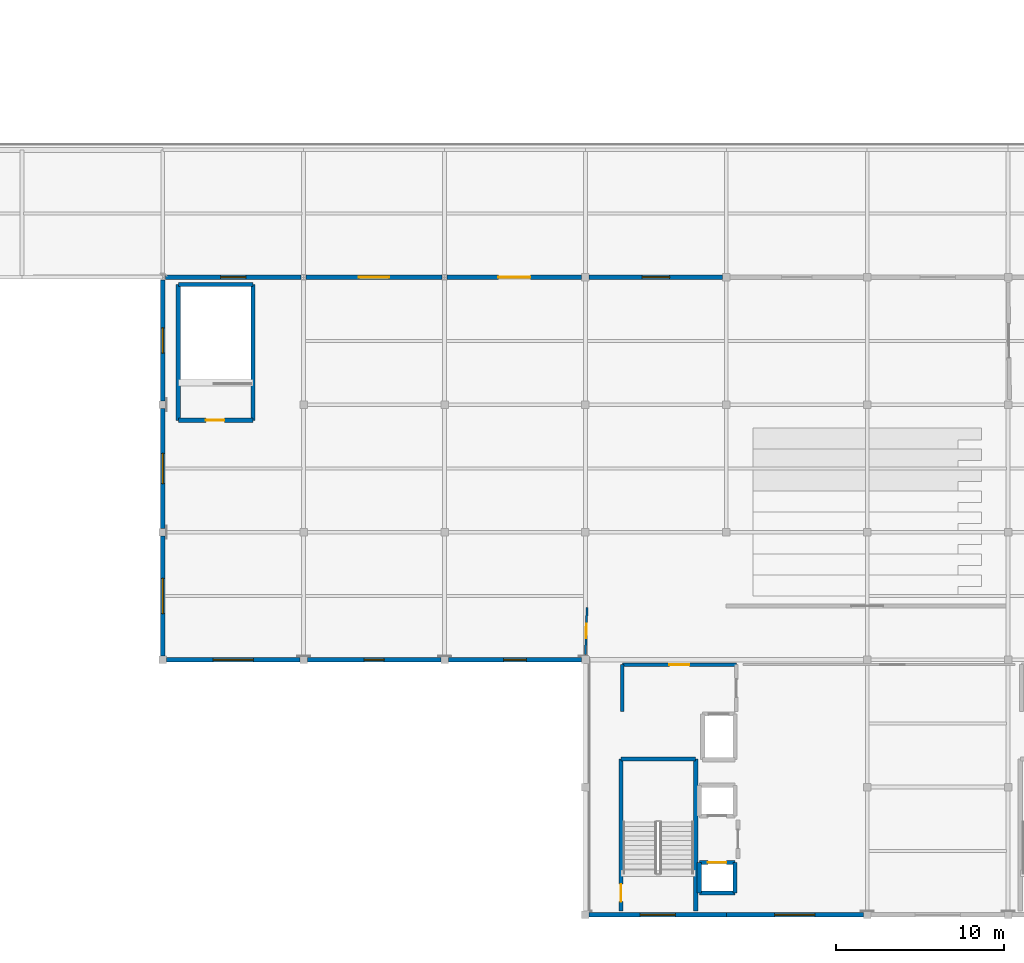
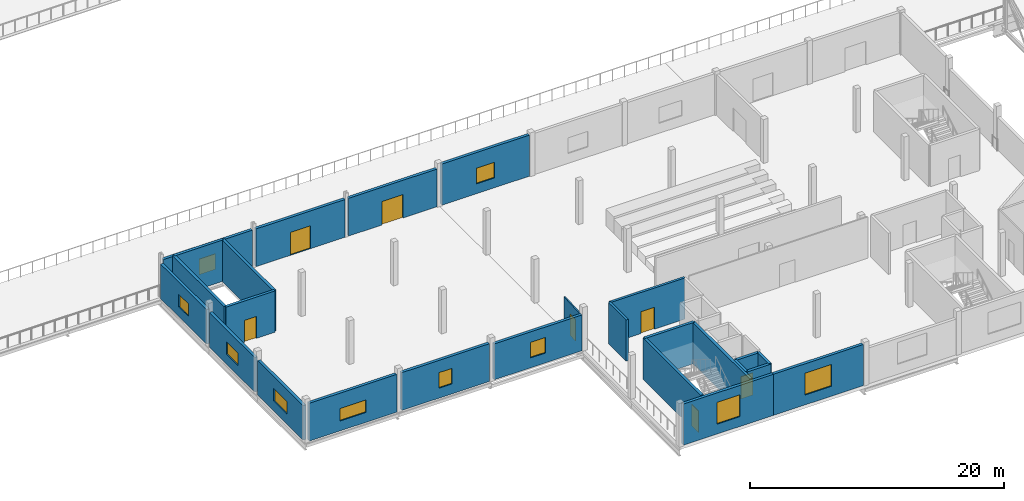
# One storey, part 50 of 57: 26 walls, 10 windows, 7 doors, 17 openings.
"""IFC4 building model written with IfcOpenShell, lengths in metres."""

from ifc_helpers import new_model, si_unit, direction, frame, frame_2d, origin, place, context, subcontext, project, spatial, rectangle, extrude, material, layer, layer_set, type_object, element, fill, save


model = new_model("IFC4")

# Units and contexts
model_context = context("Model", 3, precision=1e-05, world=origin(), true_north=direction((0.0, 1.0)))
body_context = subcontext(model_context, "Body", "Model", "MODEL_VIEW")
ifc_project = project(units=[si_unit("LENGTHUNIT", "METRE"), si_unit("AREAUNIT", "SQUARE_METRE"), si_unit("VOLUMEUNIT", "CUBIC_METRE"), si_unit("PLANEANGLEUNIT", "RADIAN"), si_unit("MASSUNIT", "GRAM", prefix="KILO")], contexts=[model_context])

# Site, building, storey
site_placement = place(None, origin())
site = spatial("IfcSite", under=ifc_project, at=site_placement, CompositionType="ELEMENT")
building_placement = place(site_placement, origin())
building = spatial("IfcBuilding", under=site, at=building_placement, Name="Zuvorla Pavilion Media Centre", CompositionType="ELEMENT")
storey_placement = place(building_placement, frame((0.0, 0.0, 18.0)))
storey = spatial("IfcBuildingStorey", under=building, at=storey_placement, Name="L04", CompositionType="ELEMENT", Elevation=18.0)

# Wall, opening, door
ifc_material_1 = material(Name="Acoustic masonry blockwork C32/40", Category="masonry")
ifc_layer_1 = layer(ifc_material_1, 0.219970703125)
ifc_layer_set_1 = layer_set([ifc_layer_1], Name="Acoustic masonry blockwork C32/40")
wall_type_1 = type_object("IfcWallType", Name="WL-CMP-220", PredefinedType="SOLIDWALL", material=ifc_layer_set_1)
wall_1_placement = place(storey_placement, frame((69.0, 20.89990234375, 0.0), z_axis=(0.0, 0.0, 1.0), x_axis=(1.0, 0.0, 0.0)))
wall_1 = element("IfcWall", 1, at=wall_1_placement, inside=storey, type_object=wall_type_1, Name="L04 solid wall IW22 43", PredefinedType="SOLIDWALL", context=body_context, shape_type="SweptSolid", body=[
    extrude(rectangle(XDim=6.800048828125, YDim=0.219970703125, at=frame_2d((3.39990234375, 0.0))), origin(), (0.0, 0.0, 1.0), 3.949951171875),
])
opening_1_placement = place(wall_1_placement, frame((2.800048828125, 0.0, 0.0)))
opening_1 = element("IfcOpeningElement", 2, at=opening_1_placement, cuts=wall_1, Name="Opening FD06", PredefinedType="OPENING", context=body_context, shape_type="SweptSolid", body=[
    extrude(rectangle(XDim=1.199951171875, YDim=2.10009765625, at=frame_2d((0.60009765625, 1.050048828125))), frame((0.0, 0.119873046875, 0.0), z_axis=(0.0, -1.0, 0.0), x_axis=(1.0, 0.0, 0.0)), (0.0, 0.0, 1.0), 0.239990234375),
])
ifc_material_2 = material(Name="Acoustic timber fire door leaf in steel frame", Category="steel")
door_type_1 = type_object("IfcDoorType", Name="DR-INT-FD06", OperationType="NOTDEFINED", PredefinedType="DOOR", material=ifc_material_2)
door_1_placement = place(opening_1_placement, origin())
door_1 = element("IfcDoor", 3, at=door_1_placement, inside=storey, type_object=door_type_1, Name="Firefighting lobby 1 door FD06 22", OperationType="SINGLE_SWING_LEFT", OverallHeight=2.10009765625, OverallWidth=1.199951171875, PredefinedType="DOOR", context=body_context, shape_type="SweptSolid", body=[
    extrude(rectangle(XDim=1.199951171875, YDim=2.10009765625, at=frame_2d((0.60009765625, 1.050048828125))), frame((0.0, 0.02490234375, 0.0), z_axis=(0.0, -1.0, 0.0), x_axis=(1.0, 0.0, 0.0)), (0.0, 0.0, 1.0), 0.050048828125),
])
fill(opening_1, door_1)

# Wall
wall_2_placement = place(storey_placement, frame((69.0, 18.10009765625, 0.0), z_axis=(0.0, 0.0, 1.0), x_axis=(0.0, 1.0, 0.0)))
element("IfcWall", 4, at=wall_2_placement, inside=storey, type_object=wall_type_1, Name="L04 solid wall IW22 44", PredefinedType="SOLIDWALL", context=body_context, shape_type="SweptSolid", body=[
    extrude(rectangle(XDim=2.7998046875, YDim=0.219970703125, at=frame_2d((1.39990234375, 0.0))), origin(), (0.0, 0.0, 1.0), 3.949951171875),
])

# Wall, opening, door
ifc_material_3 = material(Name="Concrete C40/50", Category="concrete")
ifc_layer_2 = layer(ifc_material_3, 0.25)
ifc_layer_set_2 = layer_set([ifc_layer_2], Name="Concrete C40/50")
wall_type_2 = type_object("IfcWallType", Name="WL-COR-250", PredefinedType="SHEAR", material=ifc_layer_set_2)
wall_3_placement = place(storey_placement, frame((68.925048828125, 6.22509765625, 0.0), z_axis=(0.0, 0.0, 1.0), x_axis=(0.0, 1.0, 0.0)))
wall_3 = element("IfcWall", 5, at=wall_3_placement, inside=storey, type_object=wall_type_2, Name="L04 shear wall CW25 40", PredefinedType="SHEAR", context=body_context, shape_type="SweptSolid", body=[
    extrude(rectangle(XDim=9.0498046875, YDim=0.25, at=frame_2d((4.52490234375, 0.0))), origin(), (0.0, 0.0, 1.0), 3.9599609375),
])
opening_2_placement = place(wall_3_placement, frame((0.550048828125, 0.0, 0.0)))
opening_2 = element("IfcOpeningElement", 6, at=opening_2_placement, cuts=wall_3, Name="Opening FD04", PredefinedType="OPENING", context=body_context, shape_type="SweptSolid", body=[
    extrude(rectangle(XDim=1.050048828125, YDim=2.10009765625, at=frame_2d((0.52490234375, 1.050048828125))), frame((0.0, 0.135009765625, 0.0), z_axis=(0.0, -1.0, 0.0), x_axis=(1.0, 0.0, 0.0)), (0.0, 0.0, 1.0), 0.27001953125),
])
door_type_2 = type_object("IfcDoorType", Name="DR-INT-FD04", OperationType="NOTDEFINED", PredefinedType="DOOR", material=ifc_material_2)
door_2_placement = place(opening_2_placement, origin())
door_2 = element("IfcDoor", 7, at=door_2_placement, inside=storey, type_object=door_type_2, Name="Stair ST-01 fire door FD04 21", OperationType="SINGLE_SWING_LEFT", OverallHeight=2.10009765625, OverallWidth=1.050048828125, PredefinedType="DOOR", context=body_context, shape_type="SweptSolid", body=[
    extrude(rectangle(XDim=1.050048828125, YDim=2.10009765625, at=frame_2d((0.52490234375, 1.050048828125))), frame((0.0, 0.02490234375, 0.0), z_axis=(0.0, -1.0, 0.0), x_axis=(1.0, 0.0, 0.0)), (0.0, 0.0, 1.0), 0.050048828125),
])
fill(opening_2, door_2)

# Walls
wall_4_placement = place(storey_placement, frame((73.375, 6.22509765625, 0.0), z_axis=(0.0, 0.0, 1.0), x_axis=(0.0, 1.0, 0.0)))
element("IfcWall", 8, at=wall_4_placement, inside=storey, type_object=wall_type_2, Name="L04 shear wall CW25 41", PredefinedType="SHEAR", context=body_context, shape_type="SweptSolid", body=[
    extrude(rectangle(XDim=9.0498046875, YDim=0.25, at=frame_2d((4.52490234375, 0.0))), origin(), (0.0, 0.0, 1.0), 3.9599609375),
])
wall_5_placement = place(storey_placement, frame((68.925048828125, 15.27490234375, 0.0), z_axis=(0.0, 0.0, 1.0), x_axis=(1.0, 0.0, 0.0)))
element("IfcWall", 9, at=wall_5_placement, inside=storey, type_object=wall_type_2, Name="L04 shear wall CW25 42", PredefinedType="SHEAR", context=body_context, shape_type="SweptSolid", body=[
    extrude(rectangle(XDim=4.449951171875, YDim=0.25, at=frame_2d((2.22509765625, 0.0))), origin(), (0.0, 0.0, 1.0), 3.9599609375),
])
wall_6_placement = place(storey_placement, frame((73.590087890625, 7.2900390625, 0.0), z_axis=(0.0, 0.0, 1.0), x_axis=(1.0, 0.0, 0.0)))
element("IfcWall", 10, at=wall_6_placement, inside=storey, type_object=wall_type_2, Name="L04 shear wall CW25 81", PredefinedType="SHEAR", context=body_context, shape_type="SweptSolid", body=[
    extrude(rectangle(XDim=2.119873046875, YDim=0.25, at=frame_2d((1.06005859375, 0.0))), origin(), (0.0, 0.0, 1.0), 3.9599609375),
])

# Wall, opening, door
wall_7_placement = place(storey_placement, frame((73.590087890625, 9.110107421875, 0.0), z_axis=(0.0, 0.0, 1.0), x_axis=(1.0, 0.0, 0.0)))
wall_7 = element("IfcWall", 11, at=wall_7_placement, inside=storey, type_object=wall_type_2, Name="L04 shear wall CW25 82", PredefinedType="SHEAR", context=body_context, shape_type="SweptSolid", body=[
    extrude(rectangle(XDim=2.119873046875, YDim=0.25, at=frame_2d((1.06005859375, 0.0))), origin(), (0.0, 0.0, 1.0), 3.9599609375),
])
opening_3_placement = place(wall_7_placement, frame((0.510009765625, 0.0, 0.0)))
opening_3 = element("IfcOpeningElement", 12, at=opening_3_placement, cuts=wall_7, Name="Opening LD01", PredefinedType="OPENING", context=body_context, shape_type="SweptSolid", body=[
    extrude(rectangle(XDim=1.10009765625, YDim=2.14990234375, at=frame_2d((0.550048828125, 1.074951171875))), frame((0.0, 0.135009765625, 0.0), z_axis=(0.0, -1.0, 0.0), x_axis=(1.0, 0.0, 0.0)), (0.0, 0.0, 1.0), 0.27001953125),
])
ifc_material_4 = material(Name="Brushed stainless steel sliding lift landing door", Category="steel")
door_type_3 = type_object("IfcDoorType", Name="DR-LFT-LD01", OperationType="SLIDING_TO_LEFT", PredefinedType="DOOR", material=ifc_material_4)
door_3_placement = place(opening_3_placement, origin())
door_3 = element("IfcDoor", 13, at=door_3_placement, inside=storey, type_object=door_type_3, Name="Lift LF-01 landing door LD01 38", OperationType="SLIDING_TO_LEFT", OverallHeight=2.14990234375, OverallWidth=1.10009765625, PredefinedType="DOOR", context=body_context, shape_type="SweptSolid", body=[
    extrude(rectangle(XDim=1.10009765625, YDim=2.14990234375, at=frame_2d((0.550048828125, 1.074951171875))), frame((0.0, 0.02490234375, 0.0), z_axis=(0.0, -1.0, 0.0), x_axis=(1.0, 0.0, 0.0)), (0.0, 0.0, 1.0), 0.050048828125),
])
fill(opening_3, door_3)

# Walls
for number, where, z_axis, x_axis, name in (
    (14, (73.590087890625, 7.2900390625, 0.0), (0.0, 0.0, 1.0), (0.0, 1.0, 0.0), "L04 shear wall CW25 83"),
    (15, (75.7099609375, 7.2900390625, 0.0), (0.0, 0.0, 1.0), (0.0, 1.0, 0.0), "L04 shear wall CW25 84"),
):
    element("IfcWall", number, at=place(storey_placement, frame(where, z_axis=z_axis, x_axis=x_axis)), inside=storey, type_object=wall_type_2, Name=name, PredefinedType="SHEAR", context=body_context, shape_type="SweptSolid", body=[
        extrude(rectangle(XDim=1.820068359375, YDim=0.25, at=frame_2d((0.91015625, 0.0))), origin(), (0.0, 0.0, 1.0), 3.9599609375),
    ])
for number, where, z_axis, x_axis, name in (
    (16, (42.52490234375, 35.47509765625, 0.0), (0.0, 0.0, 1.0), (0.0, 1.0, 0.0), "L04 shear wall CW25 257"),
    (17, (46.97509765625, 35.47509765625, 0.0), (0.0, 0.0, 1.0), (0.0, 1.0, 0.0), "L04 shear wall CW25 258"),
):
    element("IfcWall", number, at=place(storey_placement, frame(where, z_axis=z_axis, x_axis=x_axis)), inside=storey, type_object=wall_type_2, Name=name, PredefinedType="SHEAR", context=body_context, shape_type="SweptSolid", body=[
        extrude(rectangle(XDim=8.099853515625, YDim=0.25, at=frame_2d((4.0498046875, 0.0))), origin(), (0.0, 0.0, 1.0), 3.9599609375),
    ])
wall_8_placement = place(storey_placement, frame((42.52490234375, 43.574951171875, 0.0), z_axis=(0.0, 0.0, 1.0), x_axis=(1.0, 0.0, 0.0)))
element("IfcWall", 18, at=wall_8_placement, inside=storey, type_object=wall_type_2, Name="L04 shear wall CW25 259", PredefinedType="SHEAR", context=body_context, shape_type="SweptSolid", body=[
    extrude(rectangle(XDim=4.4501953125, YDim=0.25, at=frame_2d((2.22509765625, 0.0))), origin(), (0.0, 0.0, 1.0), 3.9599609375),
])

# Wall, opening, door
wall_9_placement = place(storey_placement, frame((42.52490234375, 35.47509765625, 0.0), z_axis=(0.0, 0.0, 1.0), x_axis=(1.0, 0.0, 0.0)))
wall_9 = element("IfcWall", 19, at=wall_9_placement, inside=storey, type_object=wall_type_2, Name="L04 shear wall CW25 260", PredefinedType="SHEAR", context=body_context, shape_type="SweptSolid", body=[
    extrude(rectangle(XDim=4.4501953125, YDim=0.25, at=frame_2d((2.22509765625, 0.0))), origin(), (0.0, 0.0, 1.0), 3.9599609375),
])
opening_4_placement = place(wall_9_placement, frame((1.64990234375, 0.0, 0.0)))
opening_4 = element("IfcOpeningElement", 20, at=opening_4_placement, cuts=wall_9, Name="Opening FD05", PredefinedType="OPENING", context=body_context, shape_type="SweptSolid", body=[
    extrude(rectangle(XDim=1.10009765625, YDim=2.10009765625, at=frame_2d((0.550048828125, 1.050048828125))), frame((0.0, 0.135009765625, 0.0), z_axis=(0.0, -1.0, 0.0), x_axis=(1.0, 0.0, 0.0)), (0.0, 0.0, 1.0), 0.27001953125),
])
door_type_4 = type_object("IfcDoorType", Name="DR-INT-FD05", OperationType="NOTDEFINED", PredefinedType="DOOR", material=ifc_material_2)
door_4_placement = place(opening_4_placement, frame((1.10009765625, 0.0, 0.0), z_axis=(0.0, 0.0, 1.0), x_axis=(-1.0, 0.0, 0.0)))
door_4 = element("IfcDoor", 21, at=door_4_placement, inside=storey, type_object=door_type_4, Name="Stair ST-03 fire door FD05 94", OperationType="SINGLE_SWING_RIGHT", OverallHeight=2.10009765625, OverallWidth=1.10009765625, PredefinedType="DOOR", context=body_context, shape_type="SweptSolid", body=[
    extrude(rectangle(XDim=1.10009765625, YDim=2.10009765625, at=frame_2d((0.550048828125, 1.050048828125))), frame((0.0, 0.02490234375, 0.0), z_axis=(0.0, -1.0, 0.0), x_axis=(1.0, 0.0, 0.0)), (0.0, 0.0, 1.0), 0.050048828125),
])
fill(opening_4, door_4)

# Wall, opening, window
ifc_material_5 = material(Name="White rendered concrete C32/40", Category="concrete")
ifc_layer_3 = layer(ifc_material_5, 0.260009765625)
ifc_layer_set_3 = layer_set([ifc_layer_3], Name="White rendered concrete C32/40")
wall_type_3 = type_object("IfcWallType", Name="WL-EXT-260", PredefinedType="SOLIDWALL", material=ifc_layer_set_3)
wall_10_placement = place(storey_placement, frame((67.02490234375, 6.0, 0.0), z_axis=(0.0, 0.0, 1.0), x_axis=(1.0, 0.0, 0.0)))
wall_10 = element("IfcWall", 22, at=wall_10_placement, inside=storey, type_object=wall_type_3, Name="L04 exterior solid wall EW04 275", PredefinedType="SOLIDWALL", context=body_context, shape_type="SweptSolid", body=[
    extrude(rectangle(XDim=8.175048828125, YDim=0.260009765625, at=frame_2d((4.08740234375, 0.0))), origin(), (0.0, 0.0, 1.0), 3.949951171875),
])
opening_5_placement = place(wall_10_placement, frame((3.03759765625, 0.0, 0.949951171875)))
opening_5 = element("IfcOpeningElement", 23, at=opening_5_placement, cuts=wall_10, Name="Opening WN20", PredefinedType="OPENING", context=body_context, shape_type="SweptSolid", body=[
    extrude(rectangle(XDim=2.10009765625, YDim=2.10009765625, at=frame_2d((1.050048828125, 1.050048828125))), frame((0.0, 0.139892578125, 0.0), z_axis=(0.0, -1.0, 0.0), x_axis=(1.0, 0.0, 0.0)), (0.0, 0.0, 1.0), 0.280029296875),
])
ifc_material_6 = material(Name="Anodised aluminium frame with solar double glazing", Category="aluminium")
window_type_1 = type_object("IfcWindowType", Name="WIN-WN20", PartitioningType="DOUBLE_PANEL_VERTICAL", PredefinedType="WINDOW", material=ifc_material_6)
window_1_placement = place(opening_5_placement, origin())
window_1 = element("IfcWindow", 24, at=window_1_placement, inside=storey, type_object=window_type_1, Name="L04 window WN20 104", OverallHeight=2.10009765625, OverallWidth=2.10009765625, PartitioningType="DOUBLE_PANEL_VERTICAL", PredefinedType="WINDOW", context=body_context, shape_type="SweptSolid", body=[
    extrude(rectangle(XDim=2.10009765625, YDim=2.10009765625, at=frame_2d((1.050048828125, 1.050048828125))), frame((0.0, 0.030029296875, 0.0), z_axis=(0.0, -1.0, 0.0), x_axis=(1.0, 0.0, 0.0)), (0.0, 0.0, 1.0), 0.06005859375),
])
fill(opening_5, window_1)

wall_11_placement = place(storey_placement, frame((75.199951171875, 6.0, 0.0), z_axis=(0.0, 0.0, 1.0), x_axis=(1.0, 0.0, 0.0)))
wall_11 = element("IfcWall", 25, at=wall_11_placement, inside=storey, type_object=wall_type_3, Name="L04 exterior solid wall EW04 276", PredefinedType="SOLIDWALL", context=body_context, shape_type="SweptSolid", body=[
    extrude(rectangle(XDim=8.175048828125, YDim=0.260009765625, at=frame_2d((4.08740234375, 0.0))), origin(), (0.0, 0.0, 1.0), 3.949951171875),
])
opening_6_placement = place(wall_11_placement, frame((2.887451171875, 0.0, 0.949951171875)))
opening_6 = element("IfcOpeningElement", 26, at=opening_6_placement, cuts=wall_11, Name="Opening WN21", PredefinedType="OPENING", context=body_context, shape_type="SweptSolid", body=[
    extrude(rectangle(XDim=2.39990234375, YDim=2.10009765625, at=frame_2d((1.199951171875, 1.050048828125))), frame((0.0, 0.139892578125, 0.0), z_axis=(0.0, -1.0, 0.0), x_axis=(1.0, 0.0, 0.0)), (0.0, 0.0, 1.0), 0.280029296875),
])
window_type_2 = type_object("IfcWindowType", Name="WIN-WN21", PartitioningType="DOUBLE_PANEL_VERTICAL", PredefinedType="WINDOW", material=ifc_material_6)
window_2_placement = place(opening_6_placement, origin())
window_2 = element("IfcWindow", 27, at=window_2_placement, inside=storey, type_object=window_type_2, Name="L04 window WN21 105", OverallHeight=2.10009765625, OverallWidth=2.39990234375, PartitioningType="DOUBLE_PANEL_VERTICAL", PredefinedType="WINDOW", context=body_context, shape_type="SweptSolid", body=[
    extrude(rectangle(XDim=2.39990234375, YDim=2.10009765625, at=frame_2d((1.199951171875, 1.050048828125))), frame((0.0, 0.030029296875, 0.0), z_axis=(0.0, -1.0, 0.0), x_axis=(1.0, 0.0, 0.0)), (0.0, 0.0, 1.0), 0.06005859375),
])
fill(opening_6, window_2)

wall_12_placement = place(storey_placement, frame((41.60009765625, 43.83984375, 0.0), z_axis=(0.0, 0.0, 1.0), x_axis=(0.0, -1.0, 0.0)))
wall_12 = element("IfcWall", 28, at=wall_12_placement, inside=storey, type_object=wall_type_3, Name="L04 exterior solid wall EW04 285", PredefinedType="SOLIDWALL", context=body_context, shape_type="SweptSolid", body=[
    extrude(rectangle(XDim=7.21484375, YDim=0.260009765625, at=frame_2d((3.607421875, 0.0))), origin(), (0.0, 0.0, 1.0), 3.314697265625),
])
opening_7_placement = place(wall_12_placement, frame((2.857421875, 0.0, 0.949951171875)))
opening_7 = element("IfcOpeningElement", 29, at=opening_7_placement, cuts=wall_12, Name="Opening WN25", PredefinedType="OPENING", context=body_context, shape_type="SweptSolid", body=[
    extrude(rectangle(XDim=1.5, YDim=1.199951171875, at=frame_2d((0.75, 0.60009765625))), frame((0.0, 0.139892578125, 0.0), z_axis=(0.0, -1.0, 0.0), x_axis=(1.0, 0.0, 0.0)), (0.0, 0.0, 1.0), 0.280029296875),
])
window_type_3 = type_object("IfcWindowType", Name="WIN-WN25", PartitioningType="SINGLE_PANEL", PredefinedType="WINDOW", material=ifc_material_6)
window_3_placement = place(opening_7_placement, origin())
window_3 = element("IfcWindow", 30, at=window_3_placement, inside=storey, type_object=window_type_3, Name="L04 window WN25 109", OverallHeight=1.199951171875, OverallWidth=1.5, PartitioningType="SINGLE_PANEL", PredefinedType="WINDOW", context=body_context, shape_type="SweptSolid", body=[
    extrude(rectangle(XDim=1.5, YDim=1.199951171875, at=frame_2d((0.75, 0.60009765625))), frame((0.0, 0.030029296875, 0.0), z_axis=(0.0, -1.0, 0.0), x_axis=(1.0, 0.0, 0.0)), (0.0, 0.0, 1.0), 0.06005859375),
])
fill(opening_7, window_3)

wall_13_placement = place(storey_placement, frame((41.60009765625, 36.175048828125, 0.0), z_axis=(0.0, 0.0, 1.0), x_axis=(0.0, -1.0, 0.0)))
wall_13 = element("IfcWall", 31, at=wall_13_placement, inside=storey, type_object=wall_type_3, Name="L04 exterior solid wall EW04 286", PredefinedType="SOLIDWALL", context=body_context, shape_type="SweptSolid", body=[
    extrude(rectangle(XDim=7.150146484375, YDim=0.260009765625, at=frame_2d((3.5751953125, 0.0))), origin(), (0.0, 0.0, 1.0), 3.314697265625),
])
opening_8_placement = place(wall_13_placement, frame((2.675048828125, 0.0, 0.949951171875)))
opening_8 = element("IfcOpeningElement", 32, at=opening_8_placement, cuts=wall_13, Name="Opening WN26", PredefinedType="OPENING", context=body_context, shape_type="SweptSolid", body=[
    extrude(rectangle(XDim=1.800048828125, YDim=1.199951171875, at=frame_2d((0.89990234375, 0.60009765625))), frame((0.0, 0.139892578125, 0.0), z_axis=(0.0, -1.0, 0.0), x_axis=(1.0, 0.0, 0.0)), (0.0, 0.0, 1.0), 0.280029296875),
])
window_type_4 = type_object("IfcWindowType", Name="WIN-WN26", PartitioningType="DOUBLE_PANEL_VERTICAL", PredefinedType="WINDOW", material=ifc_material_6)
window_4_placement = place(opening_8_placement, origin())
window_4 = element("IfcWindow", 33, at=window_4_placement, inside=storey, type_object=window_type_4, Name="L04 window WN26 110", OverallHeight=1.199951171875, OverallWidth=1.800048828125, PartitioningType="DOUBLE_PANEL_VERTICAL", PredefinedType="WINDOW", context=body_context, shape_type="SweptSolid", body=[
    extrude(rectangle(XDim=1.800048828125, YDim=1.199951171875, at=frame_2d((0.89990234375, 0.60009765625))), frame((0.0, 0.030029296875, 0.0), z_axis=(0.0, -1.0, 0.0), x_axis=(1.0, 0.0, 0.0)), (0.0, 0.0, 1.0), 0.06005859375),
])
fill(opening_8, window_4)

wall_14_placement = place(storey_placement, frame((41.60009765625, 28.574951171875, 0.0), z_axis=(0.0, 0.0, 1.0), x_axis=(0.0, -1.0, 0.0)))
wall_14 = element("IfcWall", 34, at=wall_14_placement, inside=storey, type_object=wall_type_3, Name="L04 exterior solid wall EW04 287", PredefinedType="SOLIDWALL", context=body_context, shape_type="SweptSolid", body=[
    extrude(rectangle(XDim=7.14990234375, YDim=0.260009765625, at=frame_2d((3.574951171875, 0.0))), origin(), (0.0, 0.0, 1.0), 3.314697265625),
])
opening_9_placement = place(wall_14_placement, frame((2.52490234375, 0.0, 0.949951171875)))
opening_9 = element("IfcOpeningElement", 35, at=opening_9_placement, cuts=wall_14, Name="Opening WN27", PredefinedType="OPENING", context=body_context, shape_type="SweptSolid", body=[
    extrude(rectangle(XDim=2.10009765625, YDim=1.199951171875, at=frame_2d((1.050048828125, 0.60009765625))), frame((0.0, 0.139892578125, 0.0), z_axis=(0.0, -1.0, 0.0), x_axis=(1.0, 0.0, 0.0)), (0.0, 0.0, 1.0), 0.280029296875),
])
window_type_5 = type_object("IfcWindowType", Name="WIN-WN27", PartitioningType="DOUBLE_PANEL_VERTICAL", PredefinedType="WINDOW", material=ifc_material_6)
window_5_placement = place(opening_9_placement, origin())
window_5 = element("IfcWindow", 36, at=window_5_placement, inside=storey, type_object=window_type_5, Name="L04 window WN27 111", OverallHeight=1.199951171875, OverallWidth=2.10009765625, PartitioningType="DOUBLE_PANEL_VERTICAL", PredefinedType="WINDOW", context=body_context, shape_type="SweptSolid", body=[
    extrude(rectangle(XDim=2.10009765625, YDim=1.199951171875, at=frame_2d((1.050048828125, 0.60009765625))), frame((0.0, 0.030029296875, 0.0), z_axis=(0.0, -1.0, 0.0), x_axis=(1.0, 0.0, 0.0)), (0.0, 0.0, 1.0), 0.06005859375),
])
fill(opening_9, window_5)

wall_15_placement = place(storey_placement, frame((41.824951171875, 21.199951171875, 0.0), z_axis=(0.0, 0.0, 1.0), x_axis=(1.0, 0.0, 0.0)))
wall_15 = element("IfcWall", 37, at=wall_15_placement, inside=storey, type_object=wall_type_3, Name="L04 exterior solid wall EW04 288", PredefinedType="SOLIDWALL", context=body_context, shape_type="SweptSolid", body=[
    extrude(rectangle(XDim=7.949951171875, YDim=0.260009765625, at=frame_2d((3.97509765625, 0.0))), origin(), (0.0, 0.0, 1.0), 3.626953125),
])
opening_10_placement = place(wall_15_placement, frame((2.77490234375, 0.0, 0.949951171875)))
opening_10 = element("IfcOpeningElement", 38, at=opening_10_placement, cuts=wall_15, Name="Opening WN28", PredefinedType="OPENING", context=body_context, shape_type="SweptSolid", body=[
    extrude(rectangle(XDim=2.39990234375, YDim=1.199951171875, at=frame_2d((1.199951171875, 0.60009765625))), frame((0.0, 0.139892578125, 0.0), z_axis=(0.0, -1.0, 0.0), x_axis=(1.0, 0.0, 0.0)), (0.0, 0.0, 1.0), 0.280029296875),
])
window_type_6 = type_object("IfcWindowType", Name="WIN-WN28", PartitioningType="DOUBLE_PANEL_VERTICAL", PredefinedType="WINDOW", material=ifc_material_6)
window_6_placement = place(opening_10_placement, origin())
window_6 = element("IfcWindow", 39, at=window_6_placement, inside=storey, type_object=window_type_6, Name="L04 window WN28 112", OverallHeight=1.199951171875, OverallWidth=2.39990234375, PartitioningType="DOUBLE_PANEL_VERTICAL", PredefinedType="WINDOW", context=body_context, shape_type="SweptSolid", body=[
    extrude(rectangle(XDim=2.39990234375, YDim=1.199951171875, at=frame_2d((1.199951171875, 0.60009765625))), frame((0.0, 0.030029296875, 0.0), z_axis=(0.0, -1.0, 0.0), x_axis=(1.0, 0.0, 0.0)), (0.0, 0.0, 1.0), 0.06005859375),
])
fill(opening_10, window_6)

wall_16_placement = place(storey_placement, frame((50.22509765625, 21.199951171875, 0.0), z_axis=(0.0, 0.0, 1.0), x_axis=(1.0, 0.0, 0.0)))
wall_16 = element("IfcWall", 40, at=wall_16_placement, inside=storey, type_object=wall_type_3, Name="L04 exterior solid wall EW04 289", PredefinedType="SOLIDWALL", context=body_context, shape_type="SweptSolid", body=[
    extrude(rectangle(XDim=7.949951171875, YDim=0.260009765625, at=frame_2d((3.97509765625, 0.0))), origin(), (0.0, 0.0, 1.0), 3.626953125),
])
opening_11_placement = place(wall_16_placement, frame((3.375, 0.0, 0.949951171875)))
opening_11 = element("IfcOpeningElement", 41, at=opening_11_placement, cuts=wall_16, Name="Opening WN01", PredefinedType="OPENING", context=body_context, shape_type="SweptSolid", body=[
    extrude(rectangle(XDim=1.199951171875, YDim=1.5, at=frame_2d((0.60009765625, 0.75))), frame((0.0, 0.139892578125, 0.0), z_axis=(0.0, -1.0, 0.0), x_axis=(1.0, 0.0, 0.0)), (0.0, 0.0, 1.0), 0.280029296875),
])
window_type_7 = type_object("IfcWindowType", Name="WIN-WN01", PartitioningType="SINGLE_PANEL", PredefinedType="WINDOW", material=ifc_material_6)
window_7_placement = place(opening_11_placement, origin())
window_7 = element("IfcWindow", 42, at=window_7_placement, inside=storey, type_object=window_type_7, Name="L04 window WN01 113", OverallHeight=1.5, OverallWidth=1.199951171875, PartitioningType="SINGLE_PANEL", PredefinedType="WINDOW", context=body_context, shape_type="SweptSolid", body=[
    extrude(rectangle(XDim=1.199951171875, YDim=1.5, at=frame_2d((0.60009765625, 0.75))), frame((0.0, 0.030029296875, 0.0), z_axis=(0.0, -1.0, 0.0), x_axis=(1.0, 0.0, 0.0)), (0.0, 0.0, 1.0), 0.06005859375),
])
fill(opening_11, window_7)

wall_17_placement = place(storey_placement, frame((58.625, 21.199951171875, 0.0), z_axis=(0.0, 0.0, 1.0), x_axis=(1.0, 0.0, 0.0)))
wall_17 = element("IfcWall", 43, at=wall_17_placement, inside=storey, type_object=wall_type_3, Name="L04 exterior solid wall EW04 290", PredefinedType="SOLIDWALL", context=body_context, shape_type="SweptSolid", body=[
    extrude(rectangle(XDim=7.949951171875, YDim=0.260009765625, at=frame_2d((3.97509765625, 0.0))), origin(), (0.0, 0.0, 1.0), 3.447021484375),
])
opening_12_placement = place(wall_17_placement, frame((3.300048828125, 0.0, 0.949951171875)))
opening_12 = element("IfcOpeningElement", 44, at=opening_12_placement, cuts=wall_17, Name="Opening WN02", PredefinedType="OPENING", context=body_context, shape_type="SweptSolid", body=[
    extrude(rectangle(XDim=1.35009765625, YDim=1.5, at=frame_2d((0.675048828125, 0.75))), frame((0.0, 0.139892578125, 0.0), z_axis=(0.0, -1.0, 0.0), x_axis=(1.0, 0.0, 0.0)), (0.0, 0.0, 1.0), 0.280029296875),
])
window_type_8 = type_object("IfcWindowType", Name="WIN-WN02", PartitioningType="SINGLE_PANEL", PredefinedType="WINDOW", material=ifc_material_6)
window_8_placement = place(opening_12_placement, origin())
window_8 = element("IfcWindow", 45, at=window_8_placement, inside=storey, type_object=window_type_8, Name="L04 window WN02 114", OverallHeight=1.5, OverallWidth=1.35009765625, PartitioningType="SINGLE_PANEL", PredefinedType="WINDOW", context=body_context, shape_type="SweptSolid", body=[
    extrude(rectangle(XDim=1.35009765625, YDim=1.5, at=frame_2d((0.675048828125, 0.75))), frame((0.0, 0.030029296875, 0.0), z_axis=(0.0, -1.0, 0.0), x_axis=(1.0, 0.0, 0.0)), (0.0, 0.0, 1.0), 0.06005859375),
])
fill(opening_12, window_8)

wall_18_placement = place(storey_placement, frame((41.754638671875, 44.0, 0.0), z_axis=(0.0, 0.0, 1.0), x_axis=(1.0, 0.0, 0.0)))
wall_18 = element("IfcWall", 46, at=wall_18_placement, inside=storey, type_object=wall_type_3, Name="L04 exterior solid wall EW04 291", PredefinedType="SOLIDWALL", context=body_context, shape_type="SweptSolid", body=[
    extrude(rectangle(XDim=8.0908203125, YDim=0.260009765625, at=frame_2d((4.04541015625, 0.0))), origin(), (0.0, 0.0, 1.0), 3.626953125),
])
opening_13_placement = place(wall_18_placement, frame((3.29541015625, 0.0, 0.949951171875)))
opening_13 = element("IfcOpeningElement", 47, at=opening_13_placement, cuts=wall_18, Name="Opening WN03", PredefinedType="OPENING", context=body_context, shape_type="SweptSolid", body=[
    extrude(rectangle(XDim=1.5, YDim=1.5, at=frame_2d((0.75, 0.75))), frame((0.0, 0.139892578125, 0.0), z_axis=(0.0, -1.0, 0.0), x_axis=(1.0, 0.0, 0.0)), (0.0, 0.0, 1.0), 0.280029296875),
])
window_type_9 = type_object("IfcWindowType", Name="WIN-WN03", PartitioningType="SINGLE_PANEL", PredefinedType="WINDOW", material=ifc_material_6)
window_9_placement = place(opening_13_placement, origin())
window_9 = element("IfcWindow", 48, at=window_9_placement, inside=storey, type_object=window_type_9, Name="L04 window WN03 115", OverallHeight=1.5, OverallWidth=1.5, PartitioningType="SINGLE_PANEL", PredefinedType="WINDOW", context=body_context, shape_type="SweptSolid", body=[
    extrude(rectangle(XDim=1.5, YDim=1.5, at=frame_2d((0.75, 0.75))), frame((0.0, 0.030029296875, 0.0), z_axis=(0.0, -1.0, 0.0), x_axis=(1.0, 0.0, 0.0)), (0.0, 0.0, 1.0), 0.06005859375),
])
fill(opening_13, window_9)

# Wall, opening, door
wall_19_placement = place(storey_placement, frame((50.154541015625, 44.0, 0.0), z_axis=(0.0, 0.0, 1.0), x_axis=(1.0, 0.0, 0.0)))
wall_19 = element("IfcWall", 49, at=wall_19_placement, inside=storey, type_object=wall_type_3, Name="L04 exterior solid wall EW04 292", PredefinedType="SOLIDWALL", context=body_context, shape_type="SweptSolid", body=[
    extrude(rectangle(XDim=8.0908203125, YDim=0.260009765625, at=frame_2d((4.04541015625, 0.0))), origin(), (0.0, 0.0, 1.0), 3.626953125),
])
opening_14_placement = place(wall_19_placement, frame((3.1455078125, 0.0, 0.0)))
opening_14 = element("IfcOpeningElement", 50, at=opening_14_placement, cuts=wall_19, Name="Opening ED04", PredefinedType="OPENING", context=body_context, shape_type="SweptSolid", body=[
    extrude(rectangle(XDim=1.800048828125, YDim=2.199951171875, at=frame_2d((0.89990234375, 1.10009765625))), frame((0.0, 0.139892578125, 0.0), z_axis=(0.0, -1.0, 0.0), x_axis=(1.0, 0.0, 0.0)), (0.0, 0.0, 1.0), 0.280029296875),
])
ifc_material_7 = material(Name="Anodised aluminium terrace double door", Category="aluminium")
door_type_5 = type_object("IfcDoorType", Name="DR-EXT-180x220", OperationType="NOTDEFINED", PredefinedType="DOOR", material=ifc_material_7)
door_5_placement = place(opening_14_placement, origin())
door_5 = element("IfcDoor", 51, at=door_5_placement, inside=storey, type_object=door_type_5, Name="Terrace Entrance Door DR-EXT-L04-021", OperationType="DOUBLE_DOOR_SINGLE_SWING", OverallHeight=2.199951171875, OverallWidth=1.800048828125, PredefinedType="DOOR", context=body_context, shape_type="SweptSolid", body=[
    extrude(rectangle(XDim=1.800048828125, YDim=2.199951171875, at=frame_2d((0.89990234375, 1.10009765625))), frame((0.0, 0.02490234375, 0.0), z_axis=(0.0, -1.0, 0.0), x_axis=(1.0, 0.0, 0.0)), (0.0, 0.0, 1.0), 0.050048828125),
])
fill(opening_14, door_5)

wall_20_placement = place(storey_placement, frame((58.5546875, 44.0, 0.0), z_axis=(0.0, 0.0, 1.0), x_axis=(1.0, 0.0, 0.0)))
wall_20 = element("IfcWall", 52, at=wall_20_placement, inside=storey, type_object=wall_type_3, Name="L04 exterior solid wall EW04 293", PredefinedType="SOLIDWALL", context=body_context, shape_type="SweptSolid", body=[
    extrude(rectangle(XDim=8.020263671875, YDim=0.260009765625, at=frame_2d((4.01025390625, 0.0))), origin(), (0.0, 0.0, 1.0), 3.626953125),
])
opening_15_placement = place(wall_20_placement, frame((3.060302734375, 0.0, 0.0)))
opening_15 = element("IfcOpeningElement", 53, at=opening_15_placement, cuts=wall_20, Name="Opening ED05", PredefinedType="OPENING", context=body_context, shape_type="SweptSolid", body=[
    extrude(rectangle(XDim=1.89990234375, YDim=2.25, at=frame_2d((0.949951171875, 1.125))), frame((0.0, 0.139892578125, 0.0), z_axis=(0.0, -1.0, 0.0), x_axis=(1.0, 0.0, 0.0)), (0.0, 0.0, 1.0), 0.280029296875),
])
ifc_material_8 = material(Name="Anodised aluminium lounge terrace door", Category="aluminium")
door_type_6 = type_object("IfcDoorType", Name="DR-EXT-190x225", OperationType="NOTDEFINED", PredefinedType="DOOR", material=ifc_material_8)
door_6_placement = place(opening_15_placement, origin())
door_6 = element("IfcDoor", 54, at=door_6_placement, inside=storey, type_object=door_type_6, Name="Terrace Entrance Door DR-EXT-L04-022", OperationType="DOUBLE_DOOR_SINGLE_SWING", OverallHeight=2.25, OverallWidth=1.89990234375, PredefinedType="DOOR", context=body_context, shape_type="SweptSolid", body=[
    extrude(rectangle(XDim=1.89990234375, YDim=2.25, at=frame_2d((0.949951171875, 1.125))), frame((0.0, 0.02490234375, 0.0), z_axis=(0.0, -1.0, 0.0), x_axis=(1.0, 0.0, 0.0)), (0.0, 0.0, 1.0), 0.050048828125),
])
fill(opening_15, door_6)

# Wall, opening, window
wall_21_placement = place(storey_placement, frame((67.02490234375, 44.0, 0.0), z_axis=(0.0, 0.0, 1.0), x_axis=(1.0, 0.0, 0.0)))
wall_21 = element("IfcWall", 55, at=wall_21_placement, inside=storey, type_object=wall_type_3, Name="L04 exterior solid wall EW04 294", PredefinedType="SOLIDWALL", context=body_context, shape_type="SweptSolid", body=[
    extrude(rectangle(XDim=7.9501953125, YDim=0.260009765625, at=frame_2d((3.97509765625, 0.0))), origin(), (0.0, 0.0, 1.0), 3.949951171875),
])
opening_16_placement = place(wall_21_placement, frame((3.14990234375, 0.0, 0.949951171875)))
opening_16 = element("IfcOpeningElement", 56, at=opening_16_placement, cuts=wall_21, Name="Opening WN04", PredefinedType="OPENING", context=body_context, shape_type="SweptSolid", body=[
    extrude(rectangle(XDim=1.64990234375, YDim=1.5, at=frame_2d((0.824951171875, 0.75))), frame((0.0, 0.139892578125, 0.0), z_axis=(0.0, -1.0, 0.0), x_axis=(1.0, 0.0, 0.0)), (0.0, 0.0, 1.0), 0.280029296875),
])
window_type_10 = type_object("IfcWindowType", Name="WIN-WN04", PartitioningType="SINGLE_PANEL", PredefinedType="WINDOW", material=ifc_material_6)
window_10_placement = place(opening_16_placement, origin())
window_10 = element("IfcWindow", 57, at=window_10_placement, inside=storey, type_object=window_type_10, Name="L04 window WN04 116", OverallHeight=1.5, OverallWidth=1.64990234375, PartitioningType="SINGLE_PANEL", PredefinedType="WINDOW", context=body_context, shape_type="SweptSolid", body=[
    extrude(rectangle(XDim=1.64990234375, YDim=1.5, at=frame_2d((0.824951171875, 0.75))), frame((0.0, 0.030029296875, 0.0), z_axis=(0.0, -1.0, 0.0), x_axis=(1.0, 0.0, 0.0)), (0.0, 0.0, 1.0), 0.06005859375),
])
fill(opening_16, window_10)

# Wall, opening, door
ifc_material_9 = material(Name="Lightweight gypsum partition")
ifc_layer_4 = layer(ifc_material_9, 0.1201171875)
ifc_layer_set_4 = layer_set([ifc_layer_4], Name="Lightweight gypsum partition")
wall_type_4 = type_object("IfcWallType", Name="WL-PRT-120", PredefinedType="PARTITIONING", material=ifc_layer_set_4)
wall_22_placement = place(storey_placement, frame((66.800048828125, 21.50048828125, 0.0), z_axis=(0.0, 0.0, 1.0), x_axis=(0.034268543921, 0.999412660965, 0.0)))
wall_22 = element("IfcWall", 58, at=wall_22_placement, inside=storey, type_object=wall_type_4, Name="L04 partition PT12 554", PredefinedType="PARTITIONING", context=body_context, shape_type="SweptSolid", body=[
    extrude(rectangle(XDim=2.8212890625, YDim=0.1201171875, at=frame_2d((1.41064453125, 0.0))), origin(), (0.0, 0.0, 1.0), 3.134765625),
])
opening_17_placement = place(wall_22_placement, frame((0.970703125, 0.0, 0.0)))
opening_17 = element("IfcOpeningElement", 59, at=opening_17_placement, cuts=wall_22, Name="Opening ID01", PredefinedType="OPENING", context=body_context, shape_type="SweptSolid", body=[
    extrude(rectangle(XDim=0.8798828125, YDim=2.080078125, at=frame_2d((0.43994140625, 1.0400390625))), frame((0.0, 0.070068359375, 0.0), z_axis=(0.0, -1.0, 0.0), x_axis=(1.0, 0.0, 0.0)), (0.0, 0.0, 1.0), 0.14013671875),
])
ifc_material_10 = material(Name="Hardwood acoustic studio door in anodised frame", Category="wood")
door_type_7 = type_object("IfcDoorType", Name="DR-UNR-ID01", OperationType="NOTDEFINED", PredefinedType="DOOR", material=ifc_material_10)
door_7_placement = place(opening_17_placement, origin())
door_7 = element("IfcDoor", 60, at=door_7_placement, inside=storey, type_object=door_type_7, Name="Interior door ID01 244", OperationType="SINGLE_SWING_LEFT", OverallHeight=2.080078125, OverallWidth=0.8798828125, PredefinedType="DOOR", context=body_context, shape_type="SweptSolid", body=[
    extrude(rectangle(XDim=0.8798828125, YDim=2.080078125, at=frame_2d((0.43994140625, 1.0400390625))), frame((0.0, 0.02490234375, 0.0), z_axis=(0.0, -1.0, 0.0), x_axis=(1.0, 0.0, 0.0)), (0.0, 0.0, 1.0), 0.050048828125),
])
fill(opening_17, door_7)

save(model, "model.ifc")
